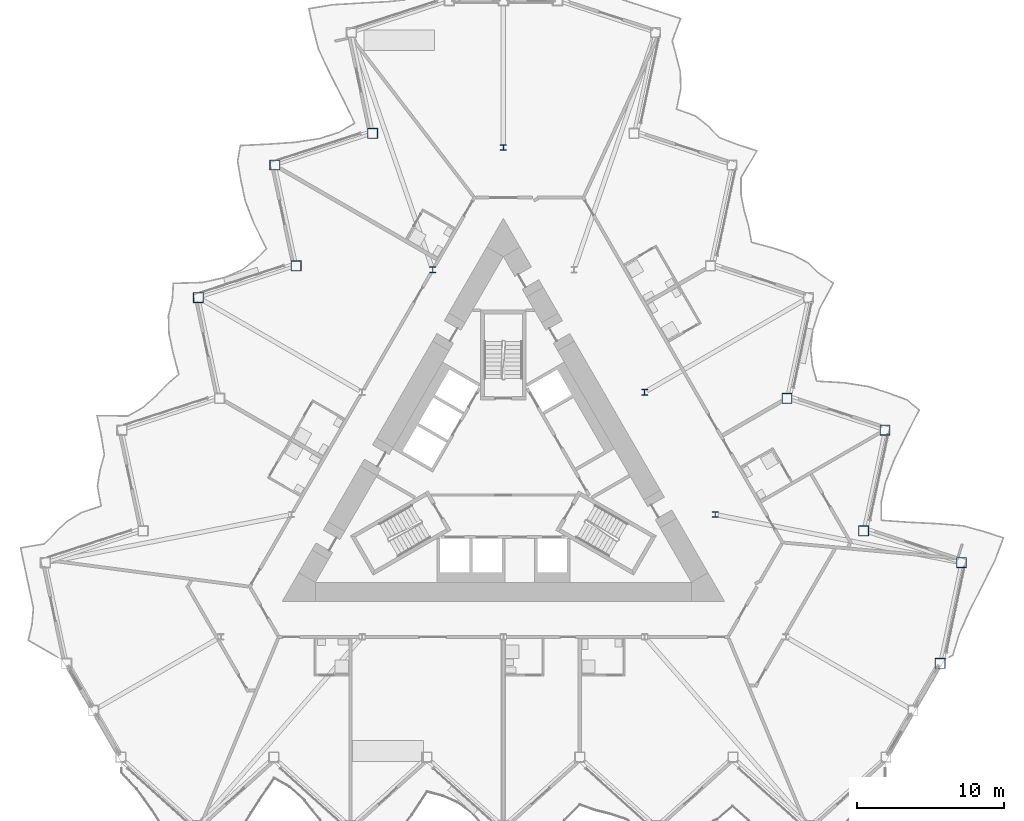
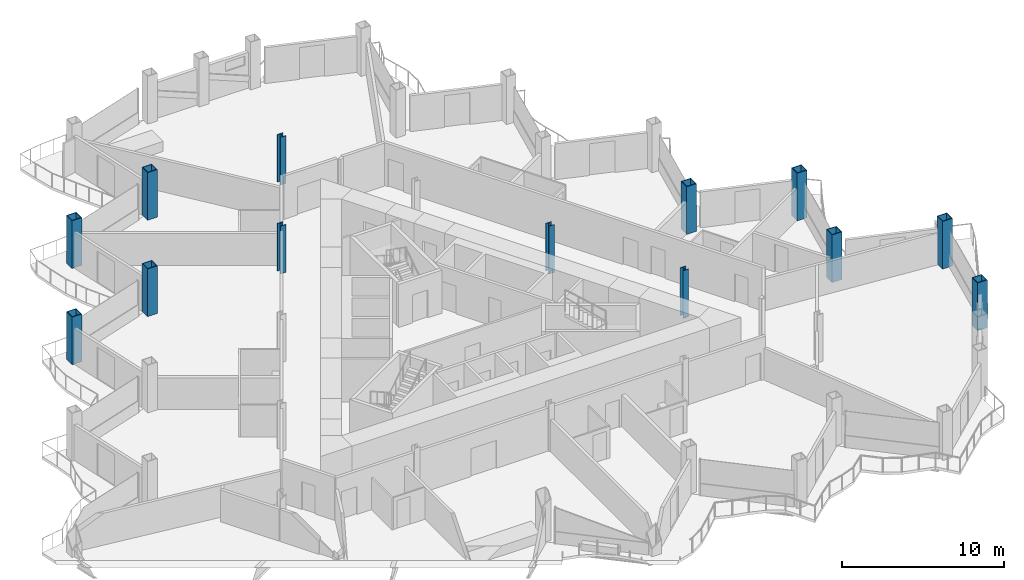
# One storey, part 2 of 23: 13 columns.
"""IFC4 building model written with IfcOpenShell, lengths in metres."""

from ifc_helpers import new_model, si_unit, direction, frame, origin, origin_2d, place, context, subcontext, project, spatial, hollow_rectangle, i_section, extrude, material, material_profile, profile_set, type_object, element, save


model = new_model("IFC4")

# Units and contexts
model_context = context("Model", 3, precision=1e-05, world=origin(), true_north=direction((0.0, 1.0)))
body_context = subcontext(model_context, "Body", "Model", "MODEL_VIEW")
ifc_project = project(units=[si_unit("LENGTHUNIT", "METRE"), si_unit("AREAUNIT", "SQUARE_METRE"), si_unit("VOLUMEUNIT", "CUBIC_METRE"), si_unit("PLANEANGLEUNIT", "RADIAN"), si_unit("MASSUNIT", "GRAM", prefix="KILO")], contexts=[model_context])

# Site, building, storey
site_placement = place(None, origin())
site = spatial("IfcSite", under=ifc_project, at=site_placement, CompositionType="ELEMENT")
building_placement = place(site_placement, origin())
building = spatial("IfcBuilding", under=site, at=building_placement, Name="Cormorant Prow Tower", CompositionType="ELEMENT")
storey_placement = place(building_placement, frame((0.0, 0.0, 256.199951171875)))
storey = spatial("IfcBuildingStorey", under=building, at=storey_placement, Name="L57", CompositionType="ELEMENT", Elevation=256.199951171875)

# Columns
ifc_material_1 = material(Name="Structural steel ASTM A572 Gr 50", Category="steel")
ifc_material_profile_1 = material_profile(ifc_material_1, hollow_rectangle(XDim=0.699951171875, YDim=0.699951171875, WallThickness=0.044921875, at=origin_2d()), Name="Box 700x700x45")
ifc_profile_set_1 = profile_set([ifc_material_profile_1], Name="Structural steel ASTM A572 Gr 50")
column_type_1 = type_object("IfcColumnType", Name="Perimeter box column 700x700x45", PredefinedType="COLUMN", material=ifc_profile_set_1)
for number, where, z_axis, x_axis, name in (
    (1, (29.611572265625, -12.858154296875, 0.0), (0.0, 0.0, 1.0), (1.0, 0.0, 0.0), "Perimeter column C5 at ENE00 L57"),
    (2, (31.063232421875, -6.029052734375, 0.0), (0.0, 0.0, 1.0), (1.0, 0.0, 0.0), "Perimeter column C5 at ENE01 L57"),
    (3, (24.42333984375, -3.871826171875, 0.0), (0.0, 0.0, 1.0), (1.0, 0.0, 0.0), "Perimeter column C5 at ENE02 L57"),
    (4, (25.875, 2.957275390625, 0.0), (0.0, 0.0, 1.0), (1.0, 0.0, 0.0), "Perimeter column C5 at ENE03 L57"),
    (5, (19.235107421875, 5.114501953125, 0.0), (0.0, 0.0, 1.0), (1.0, 0.0, 0.0), "Perimeter column C5 at ENE04 L57"),
    (6, (-8.858642578125, 23.087158203125, 0.0), (0.0, 0.0, 1.0), (1.0, 0.0, 0.0), "Perimeter column C5 at WNW02 L57"),
    (7, (-15.49853515625, 20.9296875, 0.0), (0.0, 0.0, 1.0), (1.0, 0.0, 0.0), "Perimeter column C5 at WNW03 L57"),
    (8, (-14.046875, 14.100830078125, 0.0), (0.0, 0.0, 1.0), (1.0, 0.0, 0.0), "Perimeter column C5 at WNW04 L57"),
    (9, (-20.686767578125, 11.943359375, 0.0), (0.0, 0.0, 1.0), (1.0, 0.0, 0.0), "Perimeter column C5 at WNW05 L57"),
):
    element("IfcColumn", number, at=place(storey_placement, frame(where, z_axis=z_axis, x_axis=x_axis)), inside=storey, type_object=column_type_1, Name=name, PredefinedType="COLUMN", context=body_context, shape_type="SweptSolid", body=[
        extrude(hollow_rectangle(XDim=0.699951171875, YDim=0.699951171875, WallThickness=0.044921875, at=origin_2d()), origin(), (0.0, 0.0, 1.0), 3.60009765625),
    ])
ifc_material_2 = material(Name="Structural steel ASTM A992 Gr 50", Category="steel")
ifc_material_profile_2 = material_profile(ifc_material_2, i_section(OverallWidth=0.39892578125, OverallDepth=0.393310546875, WebThickness=0.022705078125, FlangeThickness=0.03662109375, at=origin_2d()), Name="W14x193")
ifc_profile_set_2 = profile_set([ifc_material_profile_2], Name="Structural steel ASTM A992 Gr 50")
column_type_2 = type_object("IfcColumnType", Name="Ring column W14x193", PredefinedType="COLUMN", material=ifc_profile_set_2)
for number, where, z_axis, x_axis, name in (
    (10, (0.0, 22.12060546875, 0.0), (0.0, 0.0, 1.0), (1.0, 0.0, 0.0), "Ring column 1 L57"),
    (11, (-4.789306640625, 13.8251953125, 0.0), (0.0, 0.0, 1.0), (1.0, 0.0, 0.0), "Ring column 2 L57"),
    (12, (14.36767578125, -2.76513671875, 0.0), (0.0, 0.0, 1.0), (1.0, 0.0, 0.0), "Ring column 10 L57"),
    (13, (9.578369140625, 5.530029296875, 0.0), (0.0, 0.0, 1.0), (1.0, 0.0, 0.0), "Ring column 11 L57"),
):
    element("IfcColumn", number, at=place(storey_placement, frame(where, z_axis=z_axis, x_axis=x_axis)), inside=storey, type_object=column_type_2, Name=name, PredefinedType="COLUMN", context=body_context, shape_type="SweptSolid", body=[
        extrude(i_section(OverallWidth=0.39892578125, OverallDepth=0.393310546875, WebThickness=0.022705078125, FlangeThickness=0.03662109375, at=origin_2d()), origin(), (0.0, 0.0, 1.0), 3.60009765625),
    ])

save(model, "model.ifc")
